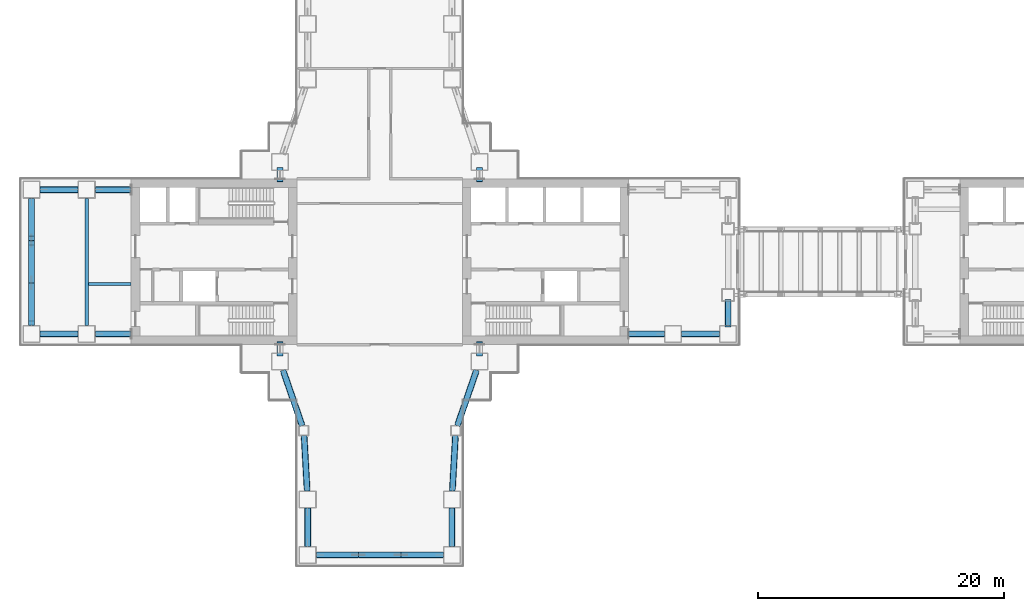
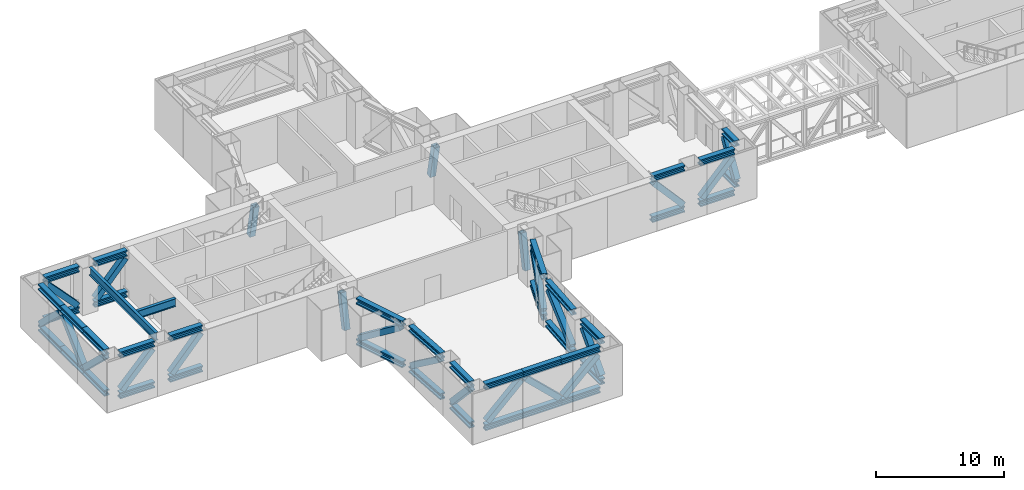
# One storey, part 3 of 23: 61 members, 2 beams.
"""IFC4 building model written with IfcOpenShell, lengths in metres."""

from ifc_helpers import new_model, si_unit, direction, frame, origin, origin_2d, place, context, subcontext, project, spatial, hollow_rectangle, i_section, extrude, material, material_profile, profile_set, type_object, element, save


model = new_model("IFC4")

# Units and contexts
model_context = context("Model", 3, precision=1e-05, world=origin(), true_north=direction((0.0, 1.0)))
body_context = subcontext(model_context, "Body", "Model", "MODEL_VIEW")
ifc_project = project(units=[si_unit("LENGTHUNIT", "METRE"), si_unit("AREAUNIT", "SQUARE_METRE"), si_unit("VOLUMEUNIT", "CUBIC_METRE"), si_unit("PLANEANGLEUNIT", "RADIAN"), si_unit("MASSUNIT", "GRAM", prefix="KILO")], contexts=[model_context])

# Site, building, storey
site_placement = place(None, origin())
site = spatial("IfcSite", under=ifc_project, at=site_placement, CompositionType="ELEMENT")
building_placement = place(site_placement, origin())
building = spatial("IfcBuilding", under=site, at=building_placement, Name="Shamsa Quay Exchange Towers", CompositionType="ELEMENT")
storey_placement = place(building_placement, frame((0.0, 0.0, 77.10009765625)))
storey = spatial("IfcBuildingStorey", under=building, at=storey_placement, Name="L17", CompositionType="ELEMENT", Elevation=77.10009765625)

# Members
ifc_material = material(Name="Steel S355", Category="steel")
ifc_material_profile_1 = material_profile(ifc_material, i_section(OverallWidth=0.454345703125, OverallDepth=0.569580078125, WebThickness=0.077880859375, FlangeThickness=0.124755859375, at=origin_2d()), Name="W14x730")
ifc_profile_set_1 = profile_set([ifc_material_profile_1], Name="Steel S355")
member_type_1 = type_object("IfcMemberType", Name="Belt chord W14x730", PredefinedType="CHORD", material=ifc_profile_set_1)
for number, where, z_axis, x_axis, name in (
    (1, (-61.425048828125, -5.875, 4.1650390625), (1.0, 0.0, 0.0), (0.0, 1.0, 0.0), "Belt truss chord T1 L17 1"),
    (2, (-61.425048828125, -5.875, 0.28466796875), (1.0, 0.0, 0.0), (0.0, 1.0, 0.0), "Belt truss chord T1 L17 1"),
):
    element("IfcMember", number, at=place(storey_placement, frame(where, z_axis=z_axis, x_axis=x_axis)), inside=storey, type_object=member_type_1, Name=name, PredefinedType="CHORD", context=body_context, shape_type="SweptSolid", body=[
        extrude(i_section(OverallWidth=0.454345703125, OverallDepth=0.569580078125, WebThickness=0.077880859375, FlangeThickness=0.124755859375, at=origin_2d()), origin(), (0.0, 0.0, 1.0), 3.10009765625),
    ])
for number, where, z_axis, x_axis, name in (
    (3, (-41.6337890625, -8.824951171875, 4.1650390625), (0.325654239425, -0.945488929784, 0.0), (0.945488929784, 0.325654239425, 0.0), "Belt truss chord T1 L17 4"),
    (4, (-41.6337890625, -8.824951171875, 0.28466796875), (0.325654239425, -0.945488929784, 0.0), (0.945488929784, 0.325654239425, 0.0), "Belt truss chord T1 L17 4"),
):
    element("IfcMember", number, at=place(storey_placement, frame(where, z_axis=z_axis, x_axis=x_axis)), inside=storey, type_object=member_type_1, Name=name, PredefinedType="CHORD", context=body_context, shape_type="SweptSolid", body=[
        extrude(i_section(OverallWidth=0.454345703125, OverallDepth=0.569580078125, WebThickness=0.077880859375, FlangeThickness=0.124755859375, at=origin_2d()), origin(), (0.0, 0.0, 1.0), 4.7861328125),
    ])
for number, where, z_axis, x_axis, name in (
    (5, (-39.915283203125, -14.14990234375, 4.1650390625), (0.05548493715, -0.998459524342, 0.0), (0.998459524342, 0.05548493715, 0.0), "Belt truss chord T1 L17 5"),
    (6, (-39.915283203125, -14.14990234375, 0.28466796875), (0.05548493715, -0.998459524342, 0.0), (0.998459524342, 0.05548493715, 0.0), "Belt truss chord T1 L17 5"),
):
    element("IfcMember", number, at=place(storey_placement, frame(where, z_axis=z_axis, x_axis=x_axis)), inside=storey, type_object=member_type_1, Name=name, PredefinedType="CHORD", context=body_context, shape_type="SweptSolid", body=[
        extrude(i_section(OverallWidth=0.454345703125, OverallDepth=0.569580078125, WebThickness=0.077880859375, FlangeThickness=0.124755859375, at=origin_2d()), origin(), (0.0, 0.0, 1.0), 4.5322265625),
    ])
for number, where, z_axis, x_axis, name in (
    (7, (-39.625, -20.074951171875, 4.1650390625), (0.0, -1.0, 0.0), (1.0, 0.0, 0.0), "Belt truss chord T1 L17 6"),
    (8, (-39.625, -20.074951171875, 0.28466796875), (0.0, -1.0, 0.0), (1.0, 0.0, 0.0), "Belt truss chord T1 L17 6"),
):
    element("IfcMember", number, at=place(storey_placement, frame(where, z_axis=z_axis, x_axis=x_axis)), inside=storey, type_object=member_type_1, Name=name, PredefinedType="CHORD", context=body_context, shape_type="SweptSolid", body=[
        extrude(i_section(OverallWidth=0.454345703125, OverallDepth=0.569580078125, WebThickness=0.077880859375, FlangeThickness=0.124755859375, at=origin_2d()), origin(), (0.0, 0.0, 1.0), 3.10009765625),
    ])
for number, where, z_axis, x_axis, name in (
    (9, (-38.925048828125, -23.875, 4.1650390625), (1.0, 0.0, 0.0), (0.0, 1.0, 0.0), "Belt truss chord T1 L17 7"),
    (10, (-38.925048828125, -23.875, 0.28466796875), (1.0, 0.0, 0.0), (0.0, 1.0, 0.0), "Belt truss chord T1 L17 7"),
):
    element("IfcMember", number, at=place(storey_placement, frame(where, z_axis=z_axis, x_axis=x_axis)), inside=storey, type_object=member_type_1, Name=name, PredefinedType="CHORD", context=body_context, shape_type="SweptSolid", body=[
        extrude(i_section(OverallWidth=0.454345703125, OverallDepth=0.569580078125, WebThickness=0.077880859375, FlangeThickness=0.124755859375, at=origin_2d()), origin(), (0.0, 0.0, 1.0), 3.449951171875),
    ])
for number, where, z_axis, x_axis, name in (
    (11, (-35.47509765625, -23.875, 4.1650390625), (1.0, 0.0, 0.0), (0.0, 1.0, 0.0), "Belt truss chord T1 L17 7"),
    (12, (-35.47509765625, -23.875, 0.28466796875), (1.0, 0.0, 0.0), (0.0, 1.0, 0.0), "Belt truss chord T1 L17 7"),
):
    element("IfcMember", number, at=place(storey_placement, frame(where, z_axis=z_axis, x_axis=x_axis)), inside=storey, type_object=member_type_1, Name=name, PredefinedType="CHORD", context=body_context, shape_type="SweptSolid", body=[
        extrude(i_section(OverallWidth=0.454345703125, OverallDepth=0.569580078125, WebThickness=0.077880859375, FlangeThickness=0.124755859375, at=origin_2d()), origin(), (0.0, 0.0, 1.0), 3.4501953125),
    ])
for number, where, z_axis, x_axis, name in (
    (13, (-32.02490234375, -23.875, 4.1650390625), (1.0, 0.0, 0.0), (0.0, 1.0, 0.0), "Belt truss chord T1 L17 7"),
    (14, (-32.02490234375, -23.875, 0.28466796875), (1.0, 0.0, 0.0), (0.0, 1.0, 0.0), "Belt truss chord T1 L17 7"),
):
    element("IfcMember", number, at=place(storey_placement, frame(where, z_axis=z_axis, x_axis=x_axis)), inside=storey, type_object=member_type_1, Name=name, PredefinedType="CHORD", context=body_context, shape_type="SweptSolid", body=[
        extrude(i_section(OverallWidth=0.454345703125, OverallDepth=0.569580078125, WebThickness=0.077880859375, FlangeThickness=0.124755859375, at=origin_2d()), origin(), (0.0, 0.0, 1.0), 3.449951171875),
    ])
for number, where, z_axis, x_axis, name in (
    (15, (-27.875, -23.175048828125, 4.1650390625), (0.0, 1.0, 0.0), (-1.0, 0.0, 0.0), "Belt truss chord T1 L17 8"),
    (16, (-27.875, -23.175048828125, 0.28466796875), (0.0, 1.0, 0.0), (-1.0, 0.0, 0.0), "Belt truss chord T1 L17 8"),
):
    element("IfcMember", number, at=place(storey_placement, frame(where, z_axis=z_axis, x_axis=x_axis)), inside=storey, type_object=member_type_1, Name=name, PredefinedType="CHORD", context=body_context, shape_type="SweptSolid", body=[
        extrude(i_section(OverallWidth=0.454345703125, OverallDepth=0.569580078125, WebThickness=0.077880859375, FlangeThickness=0.124755859375, at=origin_2d()), origin(), (0.0, 0.0, 1.0), 3.10009765625),
    ])
for number, where, z_axis, x_axis, name in (
    (17, (-27.836181640625, -18.675048828125, 4.1650390625), (0.05548493715, 0.998459524342, 0.0), (-0.998459524342, 0.05548493715, 0.0), "Belt truss chord T1 L17 9"),
    (18, (-27.836181640625, -18.675048828125, 0.28466796875), (0.05548493715, 0.998459524342, 0.0), (-0.998459524342, 0.05548493715, 0.0), "Belt truss chord T1 L17 9"),
):
    element("IfcMember", number, at=place(storey_placement, frame(where, z_axis=z_axis, x_axis=x_axis)), inside=storey, type_object=member_type_1, Name=name, PredefinedType="CHORD", context=body_context, shape_type="SweptSolid", body=[
        extrude(i_section(OverallWidth=0.454345703125, OverallDepth=0.569580078125, WebThickness=0.077880859375, FlangeThickness=0.124755859375, at=origin_2d()), origin(), (0.0, 0.0, 1.0), 4.5322265625),
    ])
for number, where, z_axis, x_axis, name in (
    (19, (-27.4248046875, -13.35009765625, 4.1650390625), (0.325654239425, 0.945488929784, 0.0), (-0.945488929784, 0.325654239425, 0.0), "Belt truss chord T1 L17 10"),
    (20, (-27.4248046875, -13.35009765625, 0.28466796875), (0.325654239425, 0.945488929784, 0.0), (-0.945488929784, 0.325654239425, 0.0), "Belt truss chord T1 L17 10"),
):
    element("IfcMember", number, at=place(storey_placement, frame(where, z_axis=z_axis, x_axis=x_axis)), inside=storey, type_object=member_type_1, Name=name, PredefinedType="CHORD", context=body_context, shape_type="SweptSolid", body=[
        extrude(i_section(OverallWidth=0.454345703125, OverallDepth=0.569580078125, WebThickness=0.077880859375, FlangeThickness=0.124755859375, at=origin_2d()), origin(), (0.0, 0.0, 1.0), 4.7861328125),
    ])
for number, where, z_axis, x_axis, name in (
    (21, (-9.175048828125, -5.875, 4.1650390625), (1.0, 0.0, 0.0), (0.0, 1.0, 0.0), "Belt truss chord T1 L17 13"),
    (22, (-9.175048828125, -5.875, 0.28466796875), (1.0, 0.0, 0.0), (0.0, 1.0, 0.0), "Belt truss chord T1 L17 13"),
):
    element("IfcMember", number, at=place(storey_placement, frame(where, z_axis=z_axis, x_axis=x_axis)), inside=storey, type_object=member_type_1, Name=name, PredefinedType="CHORD", context=body_context, shape_type="SweptSolid", body=[
        extrude(i_section(OverallWidth=0.454345703125, OverallDepth=0.569580078125, WebThickness=0.077880859375, FlangeThickness=0.124755859375, at=origin_2d()), origin(), (0.0, 0.0, 1.0), 3.10009765625),
    ])
for number, where, z_axis, x_axis, name in (
    (23, (-5.375, -5.175048828125, 4.1650390625), (0.0, 1.0, 0.0), (-1.0, 0.0, 0.0), "Belt truss chord T1 L17 14"),
    (24, (-5.375, -5.175048828125, 0.28466796875), (0.0, 1.0, 0.0), (-1.0, 0.0, 0.0), "Belt truss chord T1 L17 14"),
):
    element("IfcMember", number, at=place(storey_placement, frame(where, z_axis=z_axis, x_axis=x_axis)), inside=storey, type_object=member_type_1, Name=name, PredefinedType="CHORD", context=body_context, shape_type="SweptSolid", body=[
        extrude(i_section(OverallWidth=0.454345703125, OverallDepth=0.569580078125, WebThickness=0.077880859375, FlangeThickness=0.124755859375, at=origin_2d()), origin(), (0.0, 0.0, 1.0), 1.97509765625),
    ])
for number, where, z_axis, x_axis, name in (
    (25, (-58.324951171875, 5.875, 4.1650390625), (-1.0, 0.0, 0.0), (0.0, -1.0, 0.0), "Belt truss chord T1 L17 29"),
    (26, (-58.324951171875, 5.875, 0.28466796875), (-1.0, 0.0, 0.0), (0.0, -1.0, 0.0), "Belt truss chord T1 L17 29"),
):
    element("IfcMember", number, at=place(storey_placement, frame(where, z_axis=z_axis, x_axis=x_axis)), inside=storey, type_object=member_type_1, Name=name, PredefinedType="CHORD", context=body_context, shape_type="SweptSolid", body=[
        extrude(i_section(OverallWidth=0.454345703125, OverallDepth=0.569580078125, WebThickness=0.077880859375, FlangeThickness=0.124755859375, at=origin_2d()), origin(), (0.0, 0.0, 1.0), 3.10009765625),
    ])
for number, where, z_axis, x_axis, name in (
    (27, (-62.125, 5.175048828125, 4.1650390625), (0.0, -1.0, 0.0), (1.0, 0.0, 0.0), "Belt truss chord T1 L17 30"),
    (28, (-62.125, 5.175048828125, 0.28466796875), (0.0, -1.0, 0.0), (1.0, 0.0, 0.0), "Belt truss chord T1 L17 30"),
):
    element("IfcMember", number, at=place(storey_placement, frame(where, z_axis=z_axis, x_axis=x_axis)), inside=storey, type_object=member_type_1, Name=name, PredefinedType="CHORD", context=body_context, shape_type="SweptSolid", body=[
        extrude(i_section(OverallWidth=0.454345703125, OverallDepth=0.569580078125, WebThickness=0.077880859375, FlangeThickness=0.124755859375, at=origin_2d()), origin(), (0.0, 0.0, 1.0), 3.449951171875),
    ])
for number, where, z_axis, x_axis, name in (
    (29, (-62.125, 1.72509765625, 4.1650390625), (0.0, -1.0, 0.0), (1.0, 0.0, 0.0), "Belt truss chord T1 L17 30"),
    (30, (-62.125, 1.72509765625, 0.28466796875), (0.0, -1.0, 0.0), (1.0, 0.0, 0.0), "Belt truss chord T1 L17 30"),
):
    element("IfcMember", number, at=place(storey_placement, frame(where, z_axis=z_axis, x_axis=x_axis)), inside=storey, type_object=member_type_1, Name=name, PredefinedType="CHORD", context=body_context, shape_type="SweptSolid", body=[
        extrude(i_section(OverallWidth=0.454345703125, OverallDepth=0.569580078125, WebThickness=0.077880859375, FlangeThickness=0.124755859375, at=origin_2d()), origin(), (0.0, 0.0, 1.0), 3.4501953125),
    ])
for number, where, z_axis, x_axis, name in (
    (31, (-62.125, -1.72509765625, 4.1650390625), (0.0, -1.0, 0.0), (1.0, 0.0, 0.0), "Belt truss chord T1 L17 30"),
    (32, (-62.125, -1.72509765625, 0.28466796875), (0.0, -1.0, 0.0), (1.0, 0.0, 0.0), "Belt truss chord T1 L17 30"),
):
    element("IfcMember", number, at=place(storey_placement, frame(where, z_axis=z_axis, x_axis=x_axis)), inside=storey, type_object=member_type_1, Name=name, PredefinedType="CHORD", context=body_context, shape_type="SweptSolid", body=[
        extrude(i_section(OverallWidth=0.454345703125, OverallDepth=0.569580078125, WebThickness=0.077880859375, FlangeThickness=0.124755859375, at=origin_2d()), origin(), (0.0, 0.0, 1.0), 3.449951171875),
    ])
ifc_material_profile_2 = material_profile(ifc_material, hollow_rectangle(XDim=0.508056640625, YDim=0.508056640625, WallThickness=0.01904296875, at=origin_2d()), Name="HSS20x20x3/4")
ifc_profile_set_2 = profile_set([ifc_material_profile_2], Name="Steel S355")
member_type_2 = type_object("IfcMemberType", Name="Belt diagonal HSS20x20x3/4", PredefinedType="BRACE", material=ifc_profile_set_2)
member_1_placement = place(storey_placement, frame((-61.262451171875, -5.875, 0.742919921875), z_axis=(0.683452924295, 0.0, 0.729994589208), x_axis=(0.0, 1.0, 0.0)))
element("IfcMember", 33, at=member_1_placement, inside=storey, type_object=member_type_2, Name="Belt truss diagonal T1 L17 1", PredefinedType="BRACE", context=body_context, shape_type="SweptSolid", body=[
    extrude(hollow_rectangle(XDim=0.508056640625, YDim=0.508056640625, WallThickness=0.01904296875, at=origin_2d()), origin(), (0.0, 0.0, 1.0), 4.06005859375),
])
member_2_placement = place(storey_placement, frame((-41.53564453125, -9.1103515625, 0.7783203125), z_axis=(0.267837027078, -0.777538714922, 0.56894364723), x_axis=(0.945477776023, 0.325686620921, 0.0)))
element("IfcMember", 34, at=member_2_placement, inside=storey, type_object=member_type_2, Name="Belt truss diagonal T1 L17 4", PredefinedType="BRACE", context=body_context, shape_type="SweptSolid", body=[
    extrude(hollow_rectangle(XDim=0.508056640625, YDim=0.508056640625, WallThickness=0.01904296875, at=origin_2d()), origin(), (0.0, 0.0, 1.0), 5.08544921875),
])
member_3_placement = place(storey_placement, frame((-39.899658203125, -14.43017578125, 0.7744140625), z_axis=(0.044782020695, -0.806225314936, 0.589911274836), x_axis=(0.99846092071, 0.055459803589, 0.0)))
element("IfcMember", 35, at=member_3_placement, inside=storey, type_object=member_type_2, Name="Belt truss diagonal T1 L17 5", PredefinedType="BRACE", context=body_context, shape_type="SweptSolid", body=[
    extrude(hollow_rectangle(XDim=0.508056640625, YDim=0.508056640625, WallThickness=0.01904296875, at=origin_2d()), origin(), (0.0, 0.0, 1.0), 4.91748046875),
])
member_4_placement = place(storey_placement, frame((-39.625, -20.237548828125, 0.742919921875), z_axis=(0.0, -0.683452924295, 0.729994589208), x_axis=(1.0, 0.0, 0.0)))
element("IfcMember", 36, at=member_4_placement, inside=storey, type_object=member_type_2, Name="Belt truss diagonal T1 L17 6", PredefinedType="BRACE", context=body_context, shape_type="SweptSolid", body=[
    extrude(hollow_rectangle(XDim=0.508056640625, YDim=0.508056640625, WallThickness=0.01904296875, at=origin_2d()), origin(), (0.0, 0.0, 1.0), 4.06005859375),
])
member_5_placement = place(storey_placement, frame((-38.734130859375, -23.875, 0.752685546875), z_axis=(0.721511218658, 0.0, 0.692402745048), x_axis=(0.0, 1.0, 0.0)))
element("IfcMember", 37, at=member_5_placement, inside=storey, type_object=member_type_2, Name="Belt truss diagonal T1 L17 7", PredefinedType="BRACE", context=body_context, shape_type="SweptSolid", body=[
    extrude(hollow_rectangle(XDim=0.508056640625, YDim=0.508056640625, WallThickness=0.01904296875, at=origin_2d()), origin(), (0.0, 0.0, 1.0), 4.25244140625),
])
member_6_placement = place(storey_placement, frame((-32.216064453125, -23.875, 0.752685546875), z_axis=(-0.72148369184, 0.0, 0.692431427947), x_axis=(0.0, -1.0, 0.0)))
element("IfcMember", 38, at=member_6_placement, inside=storey, type_object=member_type_2, Name="Belt truss diagonal T1 L17 7", PredefinedType="BRACE", context=body_context, shape_type="SweptSolid", body=[
    extrude(hollow_rectangle(XDim=0.508056640625, YDim=0.508056640625, WallThickness=0.01904296875, at=origin_2d()), origin(), (0.0, 0.0, 1.0), 4.252197265625),
])
member_7_placement = place(storey_placement, frame((-31.833984375, -23.875, 0.752685546875), z_axis=(0.721511218658, 0.0, 0.692402745048), x_axis=(0.0, 1.0, 0.0)))
element("IfcMember", 39, at=member_7_placement, inside=storey, type_object=member_type_2, Name="Belt truss diagonal T1 L17 7", PredefinedType="BRACE", context=body_context, shape_type="SweptSolid", body=[
    extrude(hollow_rectangle(XDim=0.508056640625, YDim=0.508056640625, WallThickness=0.01904296875, at=origin_2d()), origin(), (0.0, 0.0, 1.0), 4.25244140625),
])
member_8_placement = place(storey_placement, frame((-27.875, -23.012451171875, 0.742919921875), z_axis=(0.0, 0.683452924295, 0.729994589208), x_axis=(-1.0, 0.0, 0.0)))
element("IfcMember", 40, at=member_8_placement, inside=storey, type_object=member_type_2, Name="Belt truss diagonal T1 L17 8", PredefinedType="BRACE", context=body_context, shape_type="SweptSolid", body=[
    extrude(hollow_rectangle(XDim=0.508056640625, YDim=0.508056640625, WallThickness=0.01904296875, at=origin_2d()), origin(), (0.0, 0.0, 1.0), 4.06005859375),
])
member_9_placement = place(storey_placement, frame((-27.820556640625, -18.394775390625, 0.7744140625), z_axis=(0.044782020695, 0.806225314936, 0.589911274836), x_axis=(-0.99846092071, 0.055459803589, 0.0)))
element("IfcMember", 41, at=member_9_placement, inside=storey, type_object=member_type_2, Name="Belt truss diagonal T1 L17 9", PredefinedType="BRACE", context=body_context, shape_type="SweptSolid", body=[
    extrude(hollow_rectangle(XDim=0.508056640625, YDim=0.508056640625, WallThickness=0.01904296875, at=origin_2d()), origin(), (0.0, 0.0, 1.0), 4.91748046875),
])
member_10_placement = place(storey_placement, frame((-27.326416015625, -13.064453125, 0.7783203125), z_axis=(0.267837027078, 0.777538714922, 0.56894364723), x_axis=(-0.945477776023, 0.325686620921, 0.0)))
element("IfcMember", 42, at=member_10_placement, inside=storey, type_object=member_type_2, Name="Belt truss diagonal T1 L17 10", PredefinedType="BRACE", context=body_context, shape_type="SweptSolid", body=[
    extrude(hollow_rectangle(XDim=0.508056640625, YDim=0.508056640625, WallThickness=0.01904296875, at=origin_2d()), origin(), (0.0, 0.0, 1.0), 5.08544921875),
])
member_11_placement = place(storey_placement, frame((-9.012451171875, -5.875, 0.742919921875), z_axis=(0.683452924295, 0.0, 0.729994589208), x_axis=(0.0, 1.0, 0.0)))
element("IfcMember", 43, at=member_11_placement, inside=storey, type_object=member_type_2, Name="Belt truss diagonal T1 L17 13", PredefinedType="BRACE", context=body_context, shape_type="SweptSolid", body=[
    extrude(hollow_rectangle(XDim=0.508056640625, YDim=0.508056640625, WallThickness=0.01904296875, at=origin_2d()), origin(), (0.0, 0.0, 1.0), 4.06005859375),
])
member_12_placement = place(storey_placement, frame((-5.375, -5.097412109375, 0.699462890625), z_axis=(0.0, 0.512290751577, 0.858812078308), x_axis=(-1.0, 0.0, 0.0)))
element("IfcMember", 44, at=member_12_placement, inside=storey, type_object=member_type_2, Name="Belt truss diagonal T1 L17 14", PredefinedType="BRACE", context=body_context, shape_type="SweptSolid", body=[
    extrude(hollow_rectangle(XDim=0.508056640625, YDim=0.508056640625, WallThickness=0.01904296875, at=origin_2d()), origin(), (0.0, 0.0, 1.0), 3.55224609375),
])
member_13_placement = place(storey_placement, frame((-58.487548828125, 5.875, 0.742919921875), z_axis=(-0.683452924295, 0.0, 0.729994589208), x_axis=(0.0, -1.0, 0.0)))
element("IfcMember", 45, at=member_13_placement, inside=storey, type_object=member_type_2, Name="Belt truss diagonal T1 L17 29", PredefinedType="BRACE", context=body_context, shape_type="SweptSolid", body=[
    extrude(hollow_rectangle(XDim=0.508056640625, YDim=0.508056640625, WallThickness=0.01904296875, at=origin_2d()), origin(), (0.0, 0.0, 1.0), 4.06005859375),
])
member_14_placement = place(storey_placement, frame((-62.125, 4.984130859375, 0.752685546875), z_axis=(0.0, -0.721511218658, 0.692402745048), x_axis=(1.0, 0.0, 0.0)))
element("IfcMember", 46, at=member_14_placement, inside=storey, type_object=member_type_2, Name="Belt truss diagonal T1 L17 30", PredefinedType="BRACE", context=body_context, shape_type="SweptSolid", body=[
    extrude(hollow_rectangle(XDim=0.508056640625, YDim=0.508056640625, WallThickness=0.01904296875, at=origin_2d()), origin(), (0.0, 0.0, 1.0), 4.25244140625),
])
member_15_placement = place(storey_placement, frame((-62.125, -1.533935546875, 0.752685546875), z_axis=(0.0, 0.72148369184, 0.692431427947), x_axis=(-1.0, 0.0, 0.0)))
element("IfcMember", 47, at=member_15_placement, inside=storey, type_object=member_type_2, Name="Belt truss diagonal T1 L17 30", PredefinedType="BRACE", context=body_context, shape_type="SweptSolid", body=[
    extrude(hollow_rectangle(XDim=0.508056640625, YDim=0.508056640625, WallThickness=0.01904296875, at=origin_2d()), origin(), (0.0, 0.0, 1.0), 4.252197265625),
])
member_16_placement = place(storey_placement, frame((-62.125, -1.916015625, 0.752685546875), z_axis=(0.0, -0.721511218658, 0.692402745048), x_axis=(1.0, 0.0, 0.0)))
element("IfcMember", 48, at=member_16_placement, inside=storey, type_object=member_type_2, Name="Belt truss diagonal T1 L17 30", PredefinedType="BRACE", context=body_context, shape_type="SweptSolid", body=[
    extrude(hollow_rectangle(XDim=0.508056640625, YDim=0.508056640625, WallThickness=0.01904296875, at=origin_2d()), origin(), (0.0, 0.0, 1.0), 4.25244140625),
])

# Beams
ifc_material_profile_3 = material_profile(ifc_material, i_section(OverallWidth=0.26611328125, OverallDepth=0.7578125, WebThickness=0.013916015625, FlangeThickness=0.019287109375, at=origin_2d()), Name="W30x108")
ifc_profile_set_3 = profile_set([ifc_material_profile_3], Name="Steel S355")
beam_type = type_object("IfcBeamType", Name="End-zone beam W30x108", PredefinedType="BEAM", material=ifc_profile_set_3)
beam_1_placement = place(storey_placement, frame((-57.625, -5.175048828125, 4.071044921875), z_axis=(0.0, 1.0, 0.0), x_axis=(-1.0, 0.0, 0.0)))
element("IfcBeam", 49, at=beam_1_placement, inside=storey, type_object=beam_type, Name="End beam T1 U- end zone L17", PredefinedType="BEAM", context=body_context, shape_type="SweptSolid", body=[
    extrude(i_section(OverallWidth=0.26611328125, OverallDepth=0.7578125, WebThickness=0.013916015625, FlangeThickness=0.019287109375, at=origin_2d()), origin(), (0.0, 0.0, 1.0), 10.35009765625),
])
beam_2_placement = place(storey_placement, frame((-54.0, -1.800048828125, 4.071044921875), z_axis=(-1.0, 0.0, 0.0), x_axis=(0.0, -1.0, 0.0)))
element("IfcBeam", 50, at=beam_2_placement, inside=storey, type_object=beam_type, Name="Spine beam T1 U- end zone L17", PredefinedType="BEAM", context=body_context, shape_type="SweptSolid", body=[
    extrude(i_section(OverallWidth=0.26611328125, OverallDepth=0.7578125, WebThickness=0.013916015625, FlangeThickness=0.019287109375, at=origin_2d()), origin(), (0.0, 0.0, 1.0), 3.491943359375),
])

# Members
ifc_material_profile_4 = material_profile(ifc_material, i_section(OverallWidth=0.454345703125, OverallDepth=0.569580078125, WebThickness=0.077880859375, FlangeThickness=0.124755859375, at=origin_2d()), Name="W14x730")
ifc_profile_set_4 = profile_set([ifc_material_profile_4], Name="Steel S355")
member_type_3 = type_object("IfcMemberType", Name="Outrigger chord W14x730", PredefinedType="CHORD", material=ifc_profile_set_4)
for number, where, z_axis, x_axis, name in (
    (51, (-56.925048828125, -5.875, 4.1650390625), (1.0, 0.0, 0.0), (0.0, 1.0, 0.0), "Outrigger truss chord T1 L17 2"),
    (52, (-56.925048828125, -5.875, 0.28466796875), (1.0, 0.0, 0.0), (0.0, 1.0, 0.0), "Outrigger truss chord T1 L17 2"),
    (53, (-10.574951171875, -5.875, 4.1650390625), (-1.0, 0.0, 0.0), (0.0, -1.0, 0.0), "Outrigger truss chord T1 L17 12"),
    (54, (-10.574951171875, -5.875, 0.28466796875), (-1.0, 0.0, 0.0), (0.0, -1.0, 0.0), "Outrigger truss chord T1 L17 12"),
    (55, (-56.925048828125, 5.875, 4.1650390625), (1.0, 0.0, 0.0), (0.0, 1.0, 0.0), "Outrigger truss chord T1 L17 28"),
    (56, (-56.925048828125, 5.875, 0.28466796875), (1.0, 0.0, 0.0), (0.0, 1.0, 0.0), "Outrigger truss chord T1 L17 28"),
):
    element("IfcMember", number, at=place(storey_placement, frame(where, z_axis=z_axis, x_axis=x_axis)), inside=storey, type_object=member_type_3, Name=name, PredefinedType="CHORD", context=body_context, shape_type="SweptSolid", body=[
        extrude(i_section(OverallWidth=0.454345703125, OverallDepth=0.569580078125, WebThickness=0.077880859375, FlangeThickness=0.124755859375, at=origin_2d()), origin(), (0.0, 0.0, 1.0), 2.925048828125),
    ])
ifc_material_profile_5 = material_profile(ifc_material, hollow_rectangle(XDim=0.508056640625, YDim=0.508056640625, WallThickness=0.01904296875, at=origin_2d()), Name="HSS20x20x3/4")
ifc_profile_set_5 = profile_set([ifc_material_profile_5], Name="Steel S355")
member_type_4 = type_object("IfcMemberType", Name="Outrigger diagonal HSS20x20x3/4", PredefinedType="BRACE", material=ifc_profile_set_5)
member_17_placement = place(storey_placement, frame((-56.7763671875, -5.875, 0.737548828125), z_axis=(0.66205079441, 0.0, 0.749458968604), x_axis=(0.0, 1.0, 0.0)))
element("IfcMember", 57, at=member_17_placement, inside=storey, type_object=member_type_4, Name="Outrigger truss diagonal T1 L17 2", PredefinedType="BRACE", context=body_context, shape_type="SweptSolid", body=[
    extrude(hollow_rectangle(XDim=0.508056640625, YDim=0.508056640625, WallThickness=0.01904296875, at=origin_2d()), origin(), (0.0, 0.0, 1.0), 3.968994140625),
])
for number, where, z_axis, x_axis, name in (
    (58, (-41.875, -7.41455078125, 0.6201171875), (0.0, 0.199755563575, 0.97984576073), (-1.0, 0.0, 0.0), "Outrigger truss diagonal T1 L17 3"),
    (59, (-25.625, -7.41455078125, 0.6201171875), (0.0, 0.199755563575, 0.97984576073), (-1.0, 0.0, 0.0), "Outrigger truss diagonal T1 L17 11"),
):
    element("IfcMember", number, at=place(storey_placement, frame(where, z_axis=z_axis, x_axis=x_axis)), inside=storey, type_object=member_type_4, Name=name, PredefinedType="BRACE", context=body_context, shape_type="SweptSolid", body=[
        extrude(hollow_rectangle(XDim=0.508056640625, YDim=0.508056640625, WallThickness=0.01904296875, at=origin_2d()), origin(), (0.0, 0.0, 1.0), 3.275390625),
    ])
member_18_placement = place(storey_placement, frame((-10.7236328125, -5.875, 0.737548828125), z_axis=(-0.66205079441, 0.0, 0.749458968604), x_axis=(0.0, -1.0, 0.0)))
element("IfcMember", 60, at=member_18_placement, inside=storey, type_object=member_type_4, Name="Outrigger truss diagonal T1 L17 12", PredefinedType="BRACE", context=body_context, shape_type="SweptSolid", body=[
    extrude(hollow_rectangle(XDim=0.508056640625, YDim=0.508056640625, WallThickness=0.01904296875, at=origin_2d()), origin(), (0.0, 0.0, 1.0), 3.968994140625),
])
for number, where, z_axis, x_axis, name in (
    (61, (-25.625, 7.41455078125, 0.6201171875), (0.0, -0.199755563575, 0.97984576073), (1.0, 0.0, 0.0), "Outrigger truss diagonal T1 L17 19"),
    (62, (-41.875, 7.41455078125, 0.6201171875), (0.0, -0.199755563575, 0.97984576073), (1.0, 0.0, 0.0), "Outrigger truss diagonal T1 L17 27"),
):
    element("IfcMember", number, at=place(storey_placement, frame(where, z_axis=z_axis, x_axis=x_axis)), inside=storey, type_object=member_type_4, Name=name, PredefinedType="BRACE", context=body_context, shape_type="SweptSolid", body=[
        extrude(hollow_rectangle(XDim=0.508056640625, YDim=0.508056640625, WallThickness=0.01904296875, at=origin_2d()), origin(), (0.0, 0.0, 1.0), 3.275390625),
    ])
member_19_placement = place(storey_placement, frame((-56.7763671875, 5.875, 0.737548828125), z_axis=(0.66205079441, 0.0, 0.749458968604), x_axis=(0.0, 1.0, 0.0)))
element("IfcMember", 63, at=member_19_placement, inside=storey, type_object=member_type_4, Name="Outrigger truss diagonal T1 L17 28", PredefinedType="BRACE", context=body_context, shape_type="SweptSolid", body=[
    extrude(hollow_rectangle(XDim=0.508056640625, YDim=0.508056640625, WallThickness=0.01904296875, at=origin_2d()), origin(), (0.0, 0.0, 1.0), 3.968994140625),
])

save(model, "model.ifc")
